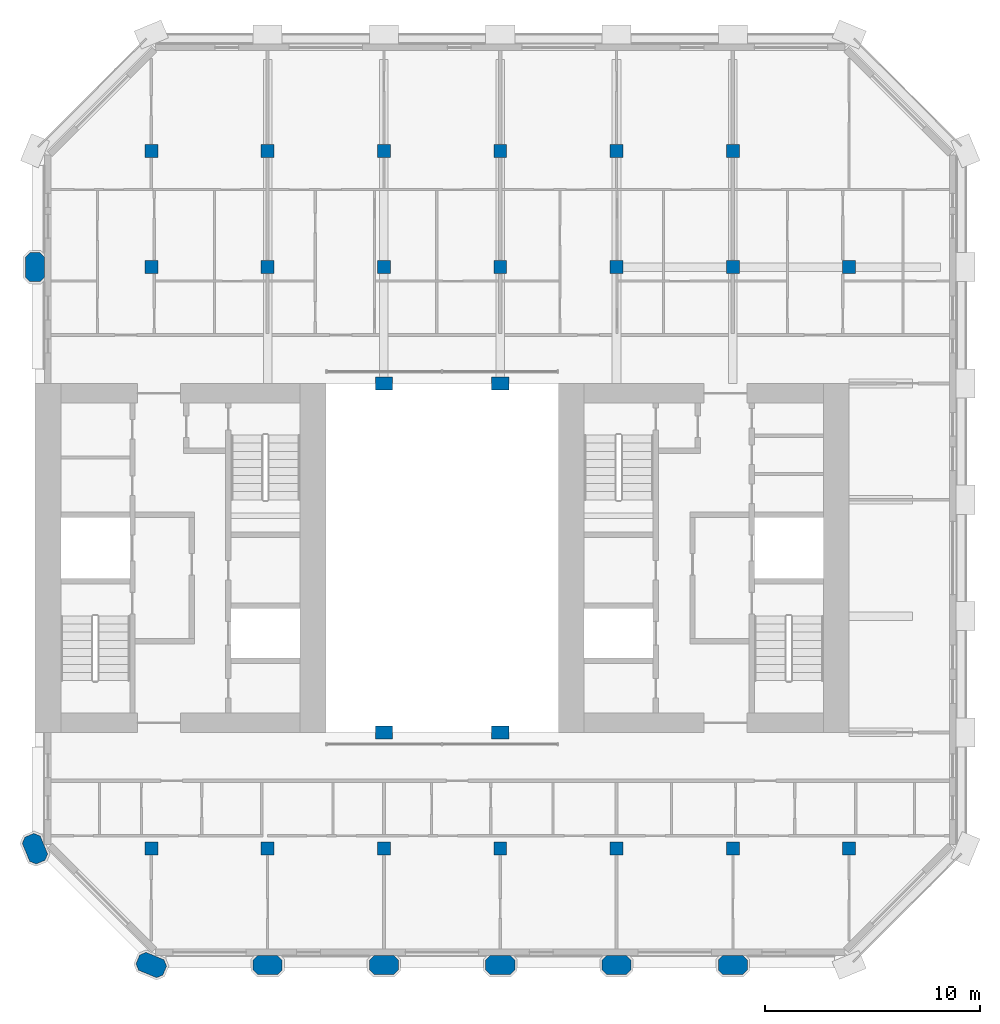
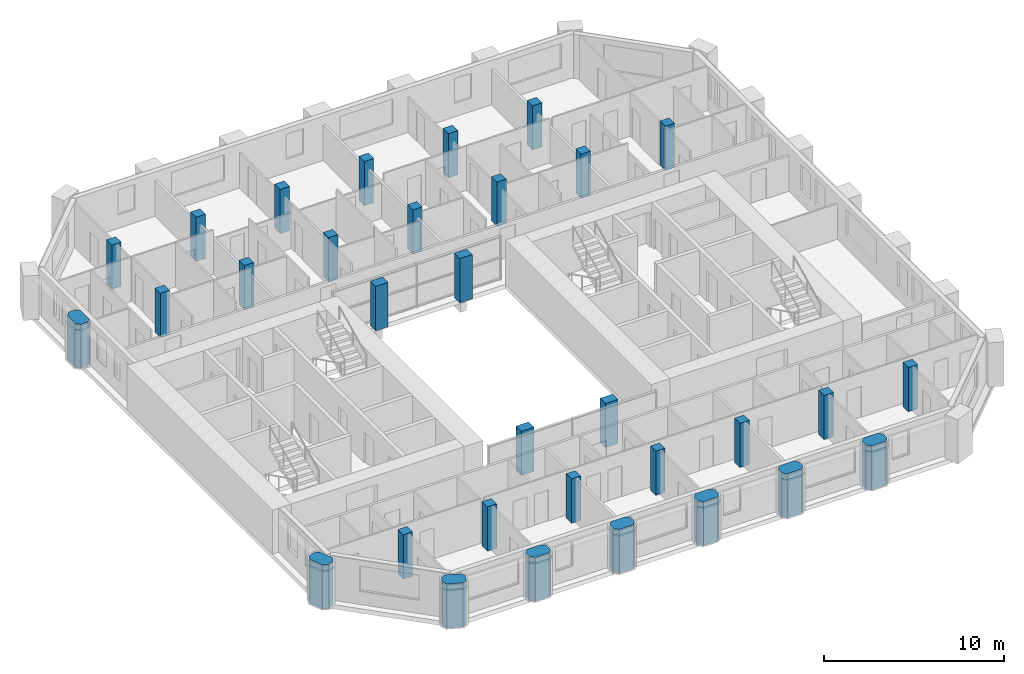
# One storey, part 1 of 13: 32 columns.
"""IFC4 building model written with IfcOpenShell, lengths in metres."""

from ifc_helpers import new_model, si_unit, direction, frame, origin, origin_2d, place, context, subcontext, project, spatial, polyline, rectangle, outline, extrude, material, material_profile, profile_set, type_object, element, save


model = new_model("IFC4")

# Units and contexts
model_context = context("Model", 3, precision=1e-05, world=origin(), true_north=direction((0.0, 1.0)))
body_context = subcontext(model_context, "Body", "Model", "MODEL_VIEW")
ifc_project = project(units=[si_unit("LENGTHUNIT", "METRE"), si_unit("AREAUNIT", "SQUARE_METRE"), si_unit("VOLUMEUNIT", "CUBIC_METRE"), si_unit("PLANEANGLEUNIT", "RADIAN"), si_unit("MASSUNIT", "GRAM", prefix="KILO")], contexts=[model_context])

# Site, building, storey
site_placement = place(None, origin())
site = spatial("IfcSite", under=ifc_project, at=site_placement, CompositionType="ELEMENT")
building_placement = place(site_placement, origin())
building = spatial("IfcBuilding", under=site, at=building_placement, Name="Tabaq Tower and Sports Hall", CompositionType="ELEMENT")
storey_placement = place(building_placement, frame((0.0, 0.0, 295.0)))
storey = spatial("IfcBuildingStorey", under=building, at=storey_placement, Name="L73", CompositionType="ELEMENT", Elevation=295.0)

# Columns
ifc_material_1 = material(Name="Concrete C40/50", Category="concrete")
ifc_material_profile_1 = material_profile(ifc_material_1, rectangle(XDim=0.800048828125, YDim=0.60009765625, at=origin_2d()), Name="ATRIUM COLUMN 800x600")
ifc_profile_set_1 = profile_set([ifc_material_profile_1], Name="Concrete C40/50")
column_type_1 = type_object("IfcColumnType", Name="RC COLUMN ATRIUM COLUMN 800x600 C40/50", PredefinedType="COLUMN", material=ifc_profile_set_1)
for number, where, z_axis, x_axis, name in (
    (1, (21.60009765625, 16.199951171875, 0.0), (0.0, 0.0, 1.0), (1.0, 0.0, 0.0), "Atrium Column 5/D L73"),
    (2, (27.0, 16.199951171875, 0.0), (0.0, 0.0, 1.0), (1.0, 0.0, 0.0), "Atrium Column 6/D L73"),
    (3, (21.60009765625, 32.39990234375, 0.0), (0.0, 0.0, 1.0), (1.0, 0.0, 0.0), "Atrium Column 5/G L73"),
    (4, (27.0, 32.39990234375, 0.0), (0.0, 0.0, 1.0), (1.0, 0.0, 0.0), "Atrium Column 6/G L73"),
):
    element("IfcColumn", number, at=place(storey_placement, frame(where, z_axis=z_axis, x_axis=x_axis)), inside=storey, type_object=column_type_1, Name=name, PredefinedType="COLUMN", context=body_context, shape_type="SweptSolid", body=[
        extrude(rectangle(XDim=0.800048828125, YDim=0.60009765625, at=origin_2d()), origin(), (0.0, 0.0, 1.0), 3.0),
    ])
ifc_material_2 = material(Name="Concrete C40/50", Category="concrete")
ifc_material_profile_2 = material_profile(ifc_material_2, rectangle(XDim=0.60009765625, YDim=0.60009765625, at=origin_2d()), Name="COLUMN 600x600")
ifc_profile_set_2 = profile_set([ifc_material_profile_2], Name="Concrete C40/50")
column_type_2 = type_object("IfcColumnType", Name="RC COLUMN COLUMN 600x600 C40/50", PredefinedType="COLUMN", material=ifc_profile_set_2)
for number, where, z_axis, x_axis, name in (
    (5, (10.800048828125, 10.800048828125, 0.0), (0.0, 0.0, 1.0), (1.0, 0.0, 0.0), "Column 3/C L73"),
    (6, (16.199951171875, 10.800048828125, 0.0), (0.0, 0.0, 1.0), (1.0, 0.0, 0.0), "Column 4/C L73"),
    (7, (21.60009765625, 10.800048828125, 0.0), (0.0, 0.0, 1.0), (1.0, 0.0, 0.0), "Column 5/C L73"),
    (8, (27.0, 10.800048828125, 0.0), (0.0, 0.0, 1.0), (1.0, 0.0, 0.0), "Column 6/C L73"),
    (9, (32.39990234375, 10.800048828125, 0.0), (0.0, 0.0, 1.0), (1.0, 0.0, 0.0), "Column 7/C L73"),
    (10, (37.800048828125, 10.800048828125, 0.0), (0.0, 0.0, 1.0), (1.0, 0.0, 0.0), "Column 8/C L73"),
    (11, (43.199951171875, 10.800048828125, 0.0), (0.0, 0.0, 1.0), (1.0, 0.0, 0.0), "Column 9/C L73"),
    (12, (10.800048828125, 37.800048828125, 0.0), (0.0, 0.0, 1.0), (1.0, 0.0, 0.0), "Column 3/H L73"),
    (13, (16.199951171875, 37.800048828125, 0.0), (0.0, 0.0, 1.0), (1.0, 0.0, 0.0), "Column 4/H L73"),
    (14, (21.60009765625, 37.800048828125, 0.0), (0.0, 0.0, 1.0), (1.0, 0.0, 0.0), "Column 5/H L73"),
    (15, (27.0, 37.800048828125, 0.0), (0.0, 0.0, 1.0), (1.0, 0.0, 0.0), "Column 6/H L73"),
    (16, (32.39990234375, 37.800048828125, 0.0), (0.0, 0.0, 1.0), (1.0, 0.0, 0.0), "Column 7/H L73"),
    (17, (37.800048828125, 37.800048828125, 0.0), (0.0, 0.0, 1.0), (1.0, 0.0, 0.0), "Column 8/H L73"),
    (18, (43.199951171875, 37.800048828125, 0.0), (0.0, 0.0, 1.0), (1.0, 0.0, 0.0), "Column 9/H L73"),
    (19, (10.800048828125, 43.199951171875, 0.0), (0.0, 0.0, 1.0), (1.0, 0.0, 0.0), "Column 3/I L73"),
    (20, (16.199951171875, 43.199951171875, 0.0), (0.0, 0.0, 1.0), (1.0, 0.0, 0.0), "Column 4/I L73"),
    (21, (21.60009765625, 43.199951171875, 0.0), (0.0, 0.0, 1.0), (1.0, 0.0, 0.0), "Column 5/I L73"),
    (22, (27.0, 43.199951171875, 0.0), (0.0, 0.0, 1.0), (1.0, 0.0, 0.0), "Column 6/I L73"),
    (23, (32.39990234375, 43.199951171875, 0.0), (0.0, 0.0, 1.0), (1.0, 0.0, 0.0), "Column 7/I L73"),
    (24, (37.800048828125, 43.199951171875, 0.0), (0.0, 0.0, 1.0), (1.0, 0.0, 0.0), "Column 8/I L73"),
):
    element("IfcColumn", number, at=place(storey_placement, frame(where, z_axis=z_axis, x_axis=x_axis)), inside=storey, type_object=column_type_2, Name=name, PredefinedType="COLUMN", context=body_context, shape_type="SweptSolid", body=[
        extrude(rectangle(XDim=0.60009765625, YDim=0.60009765625, at=origin_2d()), origin(), (0.0, 0.0, 1.0), 3.0),
    ])
ifc_material_3 = material(Name="Concrete C40/50", Category="concrete")
ifc_material_profile_3 = material_profile(ifc_material_3, outline(polyline([(-0.449951171875, -0.449951171875), (0.449951171875, -0.449951171875), (0.675048828125, -0.22509765625), (0.675048828125, 0.22509765625), (0.449951171875, 0.449951171875), (-0.449951171875, 0.449951171875), (-0.675048828125, 0.22509765625), (-0.675048828125, -0.22509765625), (-0.449951171875, -0.449951171875)])), Name="PIER 1350x900")
ifc_profile_set_3 = profile_set([ifc_material_profile_3], Name="Concrete C40/50")
column_type_3 = type_object("IfcColumnType", Name="RC COLUMN PIER 1350x900 C40/50", PredefinedType="COLUMN", material=ifc_profile_set_3)
for number, where, z_axis, x_axis, name in (
    (25, (10.800048828125, 5.39990234375, 0.0), (0.0, 0.0, 1.0), (-0.923879532511, 0.382683432365, 0.0), "Pier 3/B L73"),
    (26, (16.199951171875, 5.39990234375, 0.0), (0.0, 0.0, 1.0), (1.0, 0.0, 0.0), "Pier 4/B L73"),
    (27, (21.60009765625, 5.39990234375, 0.0), (0.0, 0.0, 1.0), (1.0, 0.0, 0.0), "Pier 5/B L73"),
    (28, (27.0, 5.39990234375, 0.0), (0.0, 0.0, 1.0), (1.0, 0.0, 0.0), "Pier 6/B L73"),
    (29, (32.39990234375, 5.39990234375, 0.0), (0.0, 0.0, 1.0), (1.0, 0.0, 0.0), "Pier 7/B L73"),
    (30, (37.800048828125, 5.39990234375, 0.0), (0.0, 0.0, 1.0), (1.0, 0.0, 0.0), "Pier 8/B L73"),
    (31, (5.39990234375, 10.800048828125, 0.0), (0.0, 0.0, 1.0), (-0.382683432365, 0.923879532511, 0.0), "Pier 2/C L73"),
    (32, (5.39990234375, 37.800048828125, 0.0), (0.0, 0.0, 1.0), (0.0, 1.0, 0.0), "Pier 2/H L73"),
):
    element("IfcColumn", number, at=place(storey_placement, frame(where, z_axis=z_axis, x_axis=x_axis)), inside=storey, type_object=column_type_3, Name=name, PredefinedType="COLUMN", context=body_context, shape_type="SweptSolid", body=[
        extrude(outline(polyline([(-0.449951171875, -0.449951171875), (0.449951171875, -0.449951171875), (0.675048828125, -0.22509765625), (0.675048828125, 0.22509765625), (0.449951171875, 0.449951171875), (-0.449951171875, 0.449951171875), (-0.675048828125, 0.22509765625), (-0.675048828125, -0.22509765625), (-0.449951171875, -0.449951171875)])), origin(), (0.0, 0.0, 1.0), 3.0),
    ])

save(model, "model.ifc")
